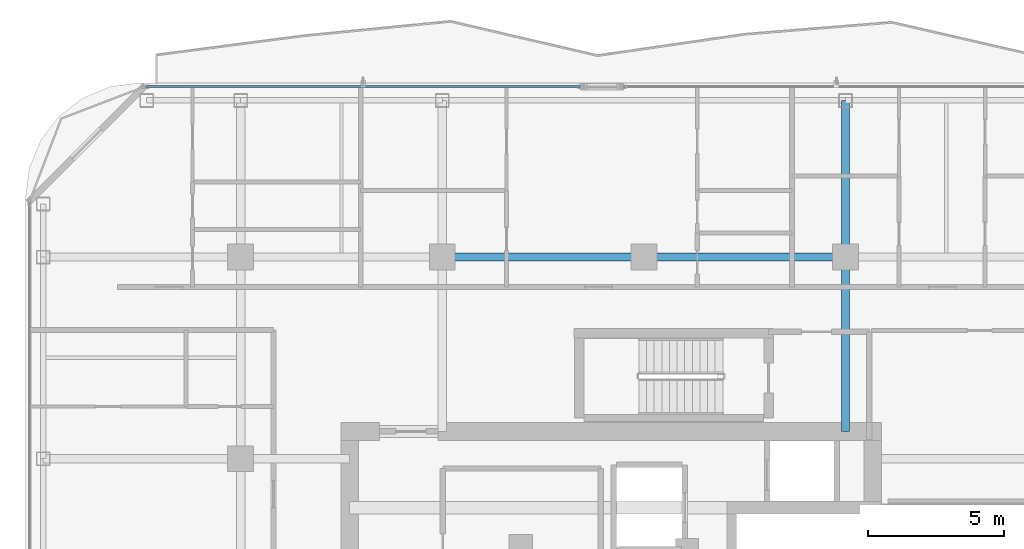
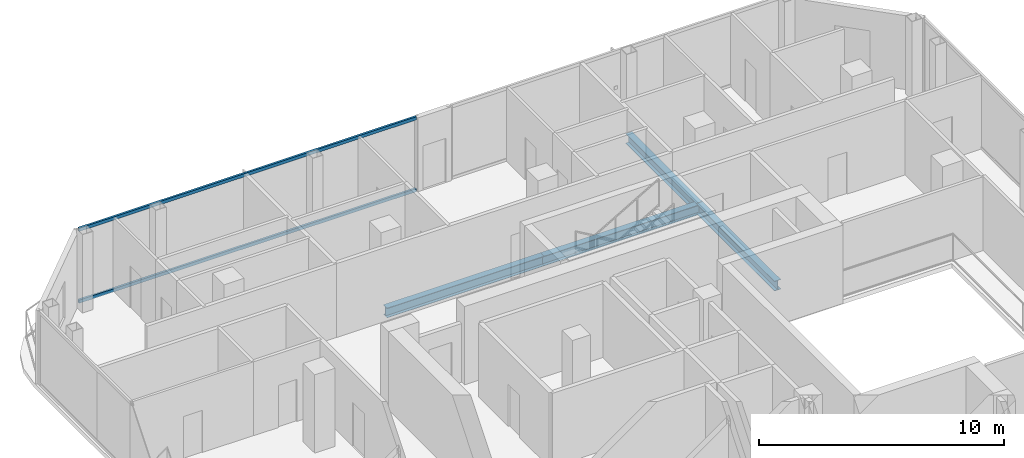
# One storey, part 12 of 26: 4 beams, 2 members, 1 element without a shape of its own.
"""IFC4 building model written with IfcOpenShell, lengths in metres."""

from ifc_helpers import new_model, si_unit, direction, frame, origin, origin_2d, place, context, subcontext, project, spatial, hollow_rectangle, i_section, extrude, material, layer, layer_set, material_profile, profile_set, type_object, element, aggregate, save


model = new_model("IFC4")

# Units and contexts
model_context = context("Model", 3, precision=1e-05, world=origin(), true_north=direction((0.0, 1.0)))
body_context = subcontext(model_context, "Body", "Model", "MODEL_VIEW")
ifc_project = project(units=[si_unit("LENGTHUNIT", "METRE"), si_unit("AREAUNIT", "SQUARE_METRE"), si_unit("VOLUMEUNIT", "CUBIC_METRE"), si_unit("PLANEANGLEUNIT", "RADIAN"), si_unit("MASSUNIT", "GRAM", prefix="KILO")], contexts=[model_context])

# Site, building, storey
site_placement = place(None, origin())
site = spatial("IfcSite", under=ifc_project, at=site_placement, CompositionType="ELEMENT")
building_placement = place(site_placement, origin())
building = spatial("IfcBuilding", under=site, at=building_placement, Name="Khorvyn Point Tower", CompositionType="ELEMENT")
storey_placement = place(building_placement, frame((0.0, 0.0, 289.800048828125)))
storey = spatial("IfcBuildingStorey", under=building, at=storey_placement, Name="L71", CompositionType="ELEMENT", Elevation=289.800048828125)

# Curtain wall, members
ifc_material_1 = material(Name="Anodised aluminium 6063-T6 and laminated Low-E glass", Category="aluminium")
ifc_layer = layer(ifc_material_1, 0.18994140625)
ifc_layer_set = layer_set([ifc_layer], Name="Stick-Built High-Wind Curtain Wall CW-SYS-04")
curtain_wall_type = type_object("IfcCurtainWallType", Name="Stick-Built High-Wind Curtain Wall CW-SYS-04", PredefinedType="NOTDEFINED", material=ifc_layer_set)
curtain_wall_placement = place(storey_placement, origin())
curtain_wall = element("IfcCurtainWall", 1, at=curtain_wall_placement, inside=storey, type_object=curtain_wall_type, Name="Curtain Wall", PredefinedType="NOTDEFINED")
ifc_material_2 = material(Name="Anodised aluminium 6063-T6", Category="aluminium")
ifc_material_profile_1 = material_profile(ifc_material_2, hollow_rectangle(XDim=0.10009765625, YDim=0.159912109375, WallThickness=0.00439453125, at=origin_2d()))
ifc_profile_set_1 = profile_set([ifc_material_profile_1], Name="Anodised aluminium 6063-T6 ALU-TRN-100x160")
member_type = type_object("IfcMemberType", Name="Anodised Aluminium 6063-T6 Transom ALU-TRN-100x160", PredefinedType="USERDEFINED", material=ifc_profile_set_1)
member_1_placement = place(storey_placement, frame((-18.25, 21.050048828125, 0.050048828125), z_axis=(1.0, 0.0, 0.0), x_axis=(0.0, 1.0, 0.0)))
member_1 = element("IfcMember", 2, at=member_1_placement, type_object=member_type, Name="Transom", ObjectType="TRANSOM", PredefinedType="USERDEFINED", context=body_context, shape_type="SweptSolid", body=[
    extrude(hollow_rectangle(XDim=0.10009765625, YDim=0.159912109375, WallThickness=0.00439453125, at=origin_2d()), origin(), (0.0, 0.0, 1.0), 15.889892578125),
])
member_2_placement = place(storey_placement, frame((-18.25, 21.050048828125, 3.6298828125), z_axis=(1.0, 0.0, 0.0), x_axis=(0.0, 1.0, 0.0)))
member_2 = element("IfcMember", 3, at=member_2_placement, type_object=member_type, Name="Transom", ObjectType="TRANSOM", PredefinedType="USERDEFINED", context=body_context, shape_type="SweptSolid", body=[
    extrude(hollow_rectangle(XDim=0.10009765625, YDim=0.159912109375, WallThickness=0.00439453125, at=origin_2d()), origin(), (0.0, 0.0, 1.0), 15.889892578125),
])
aggregate(curtain_wall, [member_1, member_2])

# Beams
ifc_material_3 = material(Name="Steel S355", Category="steel")
ifc_material_profile_2 = material_profile(ifc_material_3, i_section(OverallWidth=0.300048828125, OverallDepth=0.488037109375, WebThickness=0.010986328125, FlangeThickness=0.01806640625, at=origin_2d()))
ifc_profile_set_2 = profile_set([ifc_material_profile_2], Name="Steel S355 H488x300x11x18")
beam_type = type_object("IfcBeamType", Name="Steel S355 Spandrel H488x300x11x18", PredefinedType="SPANDREL", material=ifc_profile_set_2)
for number, where, z_axis, x_axis, name in (
    (4, (-7.39990234375, 14.800048828125, -0.464111328125), (1.0, 0.0, 0.0), (0.0, 1.0, 0.0), "Beam"),
    (5, (0.0, 14.800048828125, -0.464111328125), (1.0, 0.0, 0.0), (0.0, 1.0, 0.0), "Beam"),
):
    element("IfcBeam", number, at=place(storey_placement, frame(where, z_axis=z_axis, x_axis=x_axis)), inside=storey, type_object=beam_type, Name=name, PredefinedType="SPANDREL", context=body_context, shape_type="SweptSolid", body=[
        extrude(i_section(OverallWidth=0.300048828125, OverallDepth=0.488037109375, WebThickness=0.010986328125, FlangeThickness=0.01806640625, at=origin_2d()), origin(), (0.0, 0.0, 1.0), 7.39990234375),
    ])
beam_1_placement = place(storey_placement, frame((7.39990234375, 8.39990234375, -0.464111328125), z_axis=(0.0, 1.0, 0.0), x_axis=(-1.0, 0.0, 0.0)))
element("IfcBeam", 6, at=beam_1_placement, inside=storey, type_object=beam_type, Name="Beam", PredefinedType="SPANDREL", context=body_context, shape_type="SweptSolid", body=[
    extrude(i_section(OverallWidth=0.300048828125, OverallDepth=0.488037109375, WebThickness=0.010986328125, FlangeThickness=0.01806640625, at=origin_2d()), origin(), (0.0, 0.0, 1.0), 6.400146484375),
])
beam_2_placement = place(storey_placement, frame((7.39990234375, 14.800048828125, -0.464111328125), z_axis=(0.0, 1.0, 0.0), x_axis=(-1.0, 0.0, 0.0)))
element("IfcBeam", 7, at=beam_2_placement, inside=storey, type_object=beam_type, Name="Beam", PredefinedType="SPANDREL", context=body_context, shape_type="SweptSolid", body=[
    extrude(i_section(OverallWidth=0.300048828125, OverallDepth=0.488037109375, WebThickness=0.010986328125, FlangeThickness=0.01806640625, at=origin_2d()), origin(), (0.0, 0.0, 1.0), 5.75),
])

save(model, "model.ifc")
